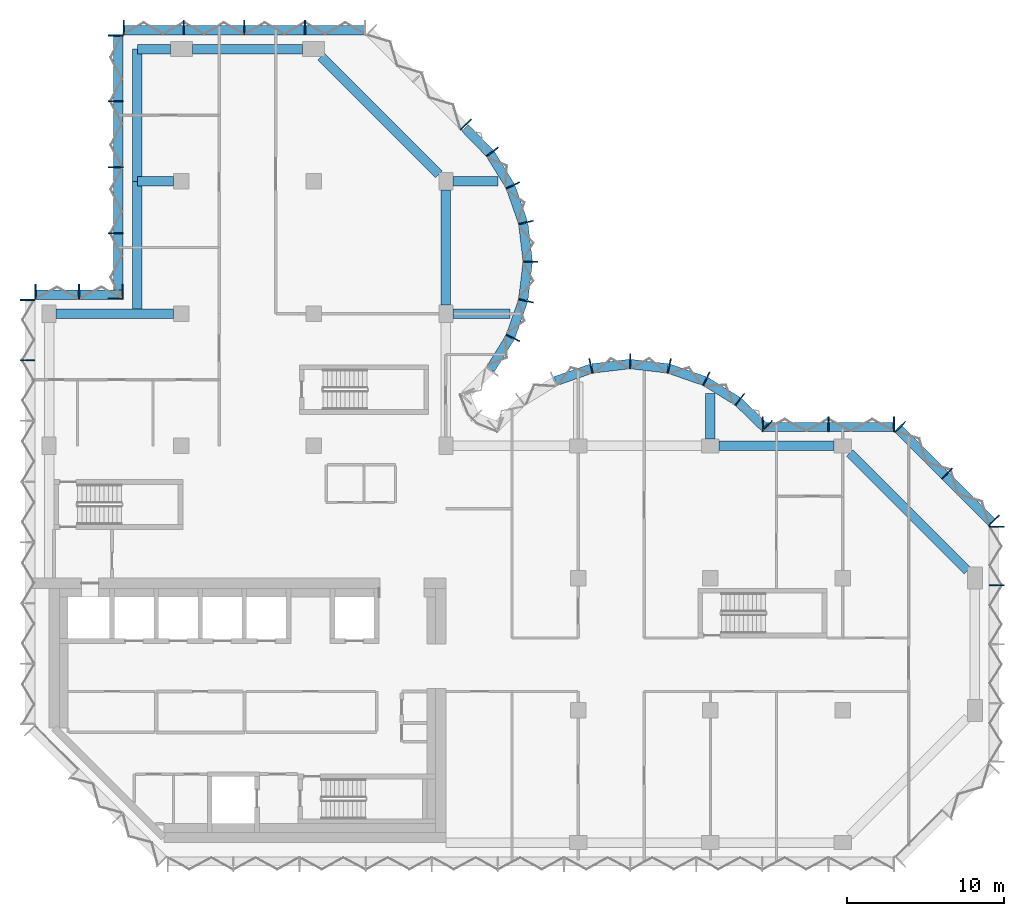
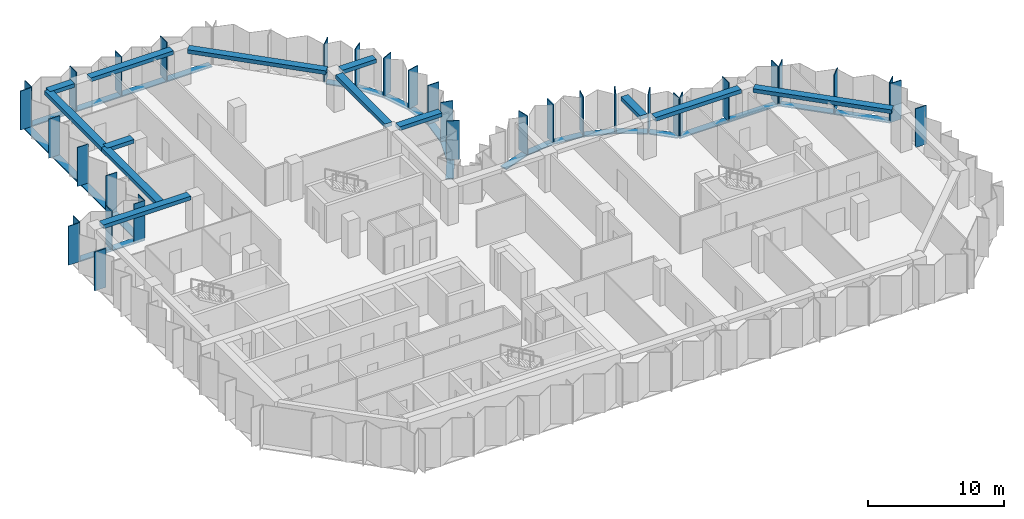
# One storey, part 2 of 10: 53 members, 13 beams, 9 elements without a shape of their own.
"""IFC4 building model written with IfcOpenShell, lengths in metres."""

from ifc_helpers import new_model, si_unit, direction, frame, origin, origin_2d, place, context, subcontext, project, spatial, rectangle, extrude, material, material_profile, profile_set, type_object, element, aggregate, save


model = new_model("IFC4")

# Units and contexts
model_context = context("Model", 3, precision=1e-05, world=origin(), true_north=direction((0.0, 1.0)))
body_context = subcontext(model_context, "Body", "Model", "MODEL_VIEW")
ifc_project = project(units=[si_unit("LENGTHUNIT", "METRE"), si_unit("AREAUNIT", "SQUARE_METRE"), si_unit("VOLUMEUNIT", "CUBIC_METRE"), si_unit("PLANEANGLEUNIT", "RADIAN"), si_unit("MASSUNIT", "GRAM", prefix="KILO")], contexts=[model_context])

# Site, building, storey
site_placement = place(None, origin())
site = spatial("IfcSite", under=ifc_project, at=site_placement, CompositionType="ELEMENT")
building_placement = place(site_placement, origin())
building = spatial("IfcBuilding", under=site, at=building_placement, Name="Brevane Broadcast Tower", CompositionType="ELEMENT")
storey_placement = place(building_placement, frame((0.0, 0.0, 166.800048828125)))
storey = spatial("IfcBuildingStorey", under=building, at=storey_placement, Name="L41", CompositionType="ELEMENT", Elevation=166.800048828125)

# Curtain wall, members
ifc_material_1 = material(Name="Aluminium 6063-T6 bronze anodised", Category="aluminium")
curtain_wall_type = type_object("IfcCurtainWallType", Name="CW-1 curtain wall", PredefinedType="NOTDEFINED", material=ifc_material_1)
curtain_wall_1_placement = place(storey_placement, origin())
curtain_wall_1 = element("IfcCurtainWall", 1, at=curtain_wall_1_placement, inside=storey, type_object=curtain_wall_type, Name="CW-1 typical tilted unit L41 east end", PredefinedType="NOTDEFINED")
ifc_material_profile_1 = material_profile(ifc_material_1, rectangle(XDim=0.949951171875, YDim=0.070068359375, at=origin_2d()), Name="RECT 70x950")
ifc_profile_set_1 = profile_set([ifc_material_profile_1], Name="Aluminium 6063-T6 bronze anodised")
member_type_1 = type_object("IfcMemberType", Name="CW-1 mullion 70x950", PredefinedType="MULLION", material=ifc_profile_set_1)
member_1_placement = place(storey_placement, frame((60.175048828125, 16.35009765625, -0.150146484375), z_axis=(0.0, 0.0, 1.0), x_axis=(-1.0, 0.0, 0.0)))
member_1 = element("IfcMember", 2, at=member_1_placement, type_object=member_type_1, Name="CW-1 mullion", PredefinedType="MULLION", context=body_context, shape_type="SweptSolid", body=[
    extrude(rectangle(XDim=0.949951171875, YDim=0.070068359375, at=origin_2d()), origin(), (0.0, 0.0, 1.0), 3.5),
])
member_2_placement = place(storey_placement, frame((60.175048828125, 20.06494140625, -0.150146484375), z_axis=(0.0, 0.0, 1.0), x_axis=(-1.0, 0.0, 0.0)))
member_2 = element("IfcMember", 3, at=member_2_placement, type_object=member_type_1, Name="CW-1 mullion", PredefinedType="MULLION", context=body_context, shape_type="SweptSolid", body=[
    extrude(rectangle(XDim=0.949951171875, YDim=0.070068359375, at=origin_2d()), origin(), (0.0, 0.0, 1.0), 3.5),
])
aggregate(curtain_wall_1, [member_1, member_2])

curtain_wall_2_placement = place(storey_placement, origin())
curtain_wall_2 = element("IfcCurtainWall", 4, at=curtain_wall_2_placement, inside=storey, type_object=curtain_wall_type, Name="CW-1 typical tilted unit L41 north-east chamfer", PredefinedType="NOTDEFINED")
member_3_placement = place(storey_placement, frame((60.01123046875, 20.460693359375, -0.150146484375), z_axis=(0.0, 0.0, 1.0), x_axis=(-0.707106781187, -0.707106781187, 0.0)))
member_3 = element("IfcMember", 5, at=member_3_placement, type_object=member_type_1, Name="CW-1 mullion", PredefinedType="MULLION", context=body_context, shape_type="SweptSolid", body=[
    extrude(rectangle(XDim=0.949951171875, YDim=0.070068359375, at=origin_2d()), origin(), (0.0, 0.0, 1.0), 3.5),
])
member_4_placement = place(storey_placement, frame((57.035888671875, 23.435791015625, -0.150146484375), z_axis=(0.0, 0.0, 1.0), x_axis=(-0.707106781187, -0.707106781187, 0.0)))
member_4 = element("IfcMember", 6, at=member_4_placement, type_object=member_type_1, Name="CW-1 mullion", PredefinedType="MULLION", context=body_context, shape_type="SweptSolid", body=[
    extrude(rectangle(XDim=0.949951171875, YDim=0.070068359375, at=origin_2d()), origin(), (0.0, 0.0, 1.0), 3.5),
])
member_5_placement = place(storey_placement, frame((54.060546875, 26.4111328125, -0.150146484375), z_axis=(0.0, 0.0, 1.0), x_axis=(-0.707106781187, -0.707106781187, 0.0)))
member_5 = element("IfcMember", 7, at=member_5_placement, type_object=member_type_1, Name="CW-1 mullion", PredefinedType="MULLION", context=body_context, shape_type="SweptSolid", body=[
    extrude(rectangle(XDim=0.949951171875, YDim=0.070068359375, at=origin_2d()), origin(), (0.0, 0.0, 1.0), 3.5),
])

curtain_wall_3_placement = place(storey_placement, origin())
curtain_wall_3 = element("IfcCurtainWall", 8, at=curtain_wall_3_placement, inside=storey, type_object=curtain_wall_type, Name="CW-1 typical tilted unit L41 east arm north face", PredefinedType="NOTDEFINED")
member_6_placement = place(storey_placement, frame((53.6650390625, 26.574951171875, -0.150146484375), z_axis=(0.0, 0.0, 1.0), x_axis=(0.0, -1.0, 0.0)))
member_6 = element("IfcMember", 9, at=member_6_placement, type_object=member_type_1, Name="CW-1 mullion", PredefinedType="MULLION", context=body_context, shape_type="SweptSolid", body=[
    extrude(rectangle(XDim=0.949951171875, YDim=0.070068359375, at=origin_2d()), origin(), (0.0, 0.0, 1.0), 3.5),
])
member_7_placement = place(storey_placement, frame((49.5, 26.574951171875, -0.150146484375), z_axis=(0.0, 0.0, 1.0), x_axis=(0.0, -1.0, 0.0)))
member_7 = element("IfcMember", 10, at=member_7_placement, type_object=member_type_1, Name="CW-1 mullion", PredefinedType="MULLION", context=body_context, shape_type="SweptSolid", body=[
    extrude(rectangle(XDim=0.949951171875, YDim=0.070068359375, at=origin_2d()), origin(), (0.0, 0.0, 1.0), 3.5),
])
member_8_placement = place(storey_placement, frame((45.3349609375, 26.574951171875, -0.150146484375), z_axis=(0.0, 0.0, 1.0), x_axis=(0.0, -1.0, 0.0)))
member_8 = element("IfcMember", 11, at=member_8_placement, type_object=member_type_1, Name="CW-1 mullion", PredefinedType="MULLION", context=body_context, shape_type="SweptSolid", body=[
    extrude(rectangle(XDim=0.949951171875, YDim=0.070068359375, at=origin_2d()), origin(), (0.0, 0.0, 1.0), 3.5),
])

curtain_wall_4_placement = place(storey_placement, origin())
curtain_wall_4 = element("IfcCurtainWall", 12, at=curtain_wall_4_placement, inside=storey, type_object=curtain_wall_type, Name="CW-1 typical tilted unit L41 east bow", PredefinedType="NOTDEFINED")
member_9_placement = place(storey_placement, frame((45.60595703125, 26.465087890625, -0.150146484375), z_axis=(0.0, 0.0, 1.0), x_axis=(-0.696812089895, -0.717253728729, 0.0)))
member_9 = element("IfcMember", 13, at=member_9_placement, type_object=member_type_1, Name="CW-1 mullion", PredefinedType="MULLION", context=body_context, shape_type="SweptSolid", body=[
    extrude(rectangle(XDim=0.949951171875, YDim=0.070068359375, at=origin_2d()), origin(), (0.0, 0.0, 1.0), 3.5),
])
member_10_placement = place(storey_placement, frame((43.8720703125, 28.1455078125, -0.150146484375), z_axis=(0.0, 0.0, 1.0), x_axis=(-0.614769698862, -0.788706673841, 0.0)))
member_10 = element("IfcMember", 14, at=member_10_placement, type_object=member_type_1, Name="CW-1 mullion", PredefinedType="MULLION", context=body_context, shape_type="SweptSolid", body=[
    extrude(rectangle(XDim=0.949951171875, YDim=0.070068359375, at=origin_2d()), origin(), (0.0, 0.0, 1.0), 3.5),
])
member_11_placement = place(storey_placement, frame((41.746826171875, 29.4580078125, -0.150146484375), z_axis=(0.0, 0.0, 1.0), x_axis=(-0.429933580394, -0.902860518823, 0.0)))
member_11 = element("IfcMember", 15, at=member_11_placement, type_object=member_type_1, Name="CW-1 mullion", PredefinedType="MULLION", context=body_context, shape_type="SweptSolid", body=[
    extrude(rectangle(XDim=0.949951171875, YDim=0.070068359375, at=origin_2d()), origin(), (0.0, 0.0, 1.0), 3.5),
])
member_12_placement = place(storey_placement, frame((39.38818359375, 30.28076171875, -0.150146484375), z_axis=(0.0, 0.0, 1.0), x_axis=(-0.224806535479, -0.974403418306, 0.0)))
member_12 = element("IfcMember", 16, at=member_12_placement, type_object=member_type_1, Name="CW-1 mullion", PredefinedType="MULLION", context=body_context, shape_type="SweptSolid", body=[
    extrude(rectangle(XDim=0.949951171875, YDim=0.070068359375, at=origin_2d()), origin(), (0.0, 0.0, 1.0), 3.5),
])
member_13_placement = place(storey_placement, frame((36.89990234375, 30.574951171875, -0.150146484375), z_axis=(0.0, 0.0, 1.0), x_axis=(0.0, -1.0, 0.0)))
member_13 = element("IfcMember", 17, at=member_13_placement, type_object=member_type_1, Name="CW-1 mullion", PredefinedType="MULLION", context=body_context, shape_type="SweptSolid", body=[
    extrude(rectangle(XDim=0.949951171875, YDim=0.070068359375, at=origin_2d()), origin(), (0.0, 0.0, 1.0), 3.5),
])
member_14_placement = place(storey_placement, frame((34.411865234375, 30.28076171875, -0.150146484375), z_axis=(0.0, 0.0, 1.0), x_axis=(0.224806535479, -0.974403418306, 0.0)))
member_14 = element("IfcMember", 18, at=member_14_placement, type_object=member_type_1, Name="CW-1 mullion", PredefinedType="MULLION", context=body_context, shape_type="SweptSolid", body=[
    extrude(rectangle(XDim=0.949951171875, YDim=0.070068359375, at=origin_2d()), origin(), (0.0, 0.0, 1.0), 3.5),
])

curtain_wall_5_placement = place(storey_placement, origin())
curtain_wall_5 = element("IfcCurtainWall", 19, at=curtain_wall_5_placement, inside=storey, type_object=curtain_wall_type, Name="CW-1 typical tilted unit L41 north bow", PredefinedType="NOTDEFINED")
member_15_placement = place(storey_placement, frame((29.4580078125, 32.05322265625, -0.150146484375), z_axis=(0.0, 0.0, 1.0), x_axis=(-0.902860518823, 0.429933580394, 0.0)))
member_15 = element("IfcMember", 20, at=member_15_placement, type_object=member_type_1, Name="CW-1 mullion", PredefinedType="MULLION", context=body_context, shape_type="SweptSolid", body=[
    extrude(rectangle(XDim=0.949951171875, YDim=0.070068359375, at=origin_2d()), origin(), (0.0, 0.0, 1.0), 3.5),
])
member_16_placement = place(storey_placement, frame((30.28076171875, 34.411865234375, -0.150146484375), z_axis=(0.0, 0.0, 1.0), x_axis=(-0.974403418306, 0.224806535479, 0.0)))
member_16 = element("IfcMember", 21, at=member_16_placement, type_object=member_type_1, Name="CW-1 mullion", PredefinedType="MULLION", context=body_context, shape_type="SweptSolid", body=[
    extrude(rectangle(XDim=0.949951171875, YDim=0.070068359375, at=origin_2d()), origin(), (0.0, 0.0, 1.0), 3.5),
])
member_17_placement = place(storey_placement, frame((30.574951171875, 36.89990234375, -0.150146484375), z_axis=(0.0, 0.0, 1.0), x_axis=(-1.0, 0.0, 0.0)))
member_17 = element("IfcMember", 22, at=member_17_placement, type_object=member_type_1, Name="CW-1 mullion", PredefinedType="MULLION", context=body_context, shape_type="SweptSolid", body=[
    extrude(rectangle(XDim=0.949951171875, YDim=0.070068359375, at=origin_2d()), origin(), (0.0, 0.0, 1.0), 3.5),
])
member_18_placement = place(storey_placement, frame((30.28076171875, 39.38818359375, -0.150146484375), z_axis=(0.0, 0.0, 1.0), x_axis=(-0.974403418306, -0.224806535479, 0.0)))
member_18 = element("IfcMember", 23, at=member_18_placement, type_object=member_type_1, Name="CW-1 mullion", PredefinedType="MULLION", context=body_context, shape_type="SweptSolid", body=[
    extrude(rectangle(XDim=0.949951171875, YDim=0.070068359375, at=origin_2d()), origin(), (0.0, 0.0, 1.0), 3.5),
])
member_19_placement = place(storey_placement, frame((29.4580078125, 41.746826171875, -0.150146484375), z_axis=(0.0, 0.0, 1.0), x_axis=(-0.902860518823, -0.429933580394, 0.0)))
member_19 = element("IfcMember", 24, at=member_19_placement, type_object=member_type_1, Name="CW-1 mullion", PredefinedType="MULLION", context=body_context, shape_type="SweptSolid", body=[
    extrude(rectangle(XDim=0.949951171875, YDim=0.070068359375, at=origin_2d()), origin(), (0.0, 0.0, 1.0), 3.5),
])
member_20_placement = place(storey_placement, frame((28.1455078125, 43.8720703125, -0.150146484375), z_axis=(0.0, 0.0, 1.0), x_axis=(-0.788706673841, -0.614769698862, 0.0)))
member_20 = element("IfcMember", 25, at=member_20_placement, type_object=member_type_1, Name="CW-1 mullion", PredefinedType="MULLION", context=body_context, shape_type="SweptSolid", body=[
    extrude(rectangle(XDim=0.949951171875, YDim=0.070068359375, at=origin_2d()), origin(), (0.0, 0.0, 1.0), 3.5),
])
member_21_placement = place(storey_placement, frame((26.465087890625, 45.60595703125, -0.150146484375), z_axis=(0.0, 0.0, 1.0), x_axis=(-0.717253728729, -0.696812089895, 0.0)))
member_21 = element("IfcMember", 26, at=member_21_placement, type_object=member_type_1, Name="CW-1 mullion", PredefinedType="MULLION", context=body_context, shape_type="SweptSolid", body=[
    extrude(rectangle(XDim=0.949951171875, YDim=0.070068359375, at=origin_2d()), origin(), (0.0, 0.0, 1.0), 3.5),
])

curtain_wall_6_placement = place(storey_placement, origin())
curtain_wall_6 = element("IfcCurtainWall", 27, at=curtain_wall_6_placement, inside=storey, type_object=curtain_wall_type, Name="CW-1 typical tilted unit L41 north end", PredefinedType="NOTDEFINED")
member_22_placement = place(storey_placement, frame((16.25, 51.77490234375, -0.150146484375), z_axis=(0.0, 0.0, 1.0), x_axis=(0.0, -1.0, 0.0)))
member_22 = element("IfcMember", 28, at=member_22_placement, type_object=member_type_1, Name="CW-1 mullion", PredefinedType="MULLION", context=body_context, shape_type="SweptSolid", body=[
    extrude(rectangle(XDim=0.949951171875, YDim=0.070068359375, at=origin_2d()), origin(), (0.0, 0.0, 1.0), 3.5),
])
member_23_placement = place(storey_placement, frame((12.39990234375, 51.77490234375, -0.150146484375), z_axis=(0.0, 0.0, 1.0), x_axis=(0.0, -1.0, 0.0)))
member_23 = element("IfcMember", 29, at=member_23_placement, type_object=member_type_1, Name="CW-1 mullion", PredefinedType="MULLION", context=body_context, shape_type="SweptSolid", body=[
    extrude(rectangle(XDim=0.949951171875, YDim=0.070068359375, at=origin_2d()), origin(), (0.0, 0.0, 1.0), 3.5),
])
member_24_placement = place(storey_placement, frame((8.550048828125, 51.77490234375, -0.150146484375), z_axis=(0.0, 0.0, 1.0), x_axis=(0.0, -1.0, 0.0)))
member_24 = element("IfcMember", 30, at=member_24_placement, type_object=member_type_1, Name="CW-1 mullion", PredefinedType="MULLION", context=body_context, shape_type="SweptSolid", body=[
    extrude(rectangle(XDim=0.949951171875, YDim=0.070068359375, at=origin_2d()), origin(), (0.0, 0.0, 1.0), 3.5),
])
member_25_placement = place(storey_placement, frame((4.735107421875, 51.77490234375, -0.150146484375), z_axis=(0.0, 0.0, 1.0), x_axis=(0.0, -1.0, 0.0)))
member_25 = element("IfcMember", 31, at=member_25_placement, type_object=member_type_1, Name="CW-1 mullion", PredefinedType="MULLION", context=body_context, shape_type="SweptSolid", body=[
    extrude(rectangle(XDim=0.949951171875, YDim=0.070068359375, at=origin_2d()), origin(), (0.0, 0.0, 1.0), 3.5),
])

curtain_wall_7_placement = place(storey_placement, origin())
curtain_wall_7 = element("IfcCurtainWall", 32, at=curtain_wall_7_placement, inside=storey, type_object=curtain_wall_type, Name="CW-1 typical tilted unit L41 north wing west face, lower block", PredefinedType="NOTDEFINED")
member_26_placement = place(storey_placement, frame((4.22509765625, 51.264892578125, -0.150146484375), z_axis=(0.0, 0.0, 1.0), x_axis=(1.0, 0.0, 0.0)))
member_26 = element("IfcMember", 33, at=member_26_placement, type_object=member_type_1, Name="CW-1 mullion", PredefinedType="MULLION", context=body_context, shape_type="SweptSolid", body=[
    extrude(rectangle(XDim=0.949951171875, YDim=0.070068359375, at=origin_2d()), origin(), (0.0, 0.0, 1.0), 3.5),
])
member_27_placement = place(storey_placement, frame((4.22509765625, 47.10009765625, -0.150146484375), z_axis=(0.0, 0.0, 1.0), x_axis=(1.0, 0.0, 0.0)))
member_27 = element("IfcMember", 34, at=member_27_placement, type_object=member_type_1, Name="CW-1 mullion", PredefinedType="MULLION", context=body_context, shape_type="SweptSolid", body=[
    extrude(rectangle(XDim=0.949951171875, YDim=0.070068359375, at=origin_2d()), origin(), (0.0, 0.0, 1.0), 3.5),
])
member_28_placement = place(storey_placement, frame((4.22509765625, 42.89990234375, -0.150146484375), z_axis=(0.0, 0.0, 1.0), x_axis=(1.0, 0.0, 0.0)))
member_28 = element("IfcMember", 35, at=member_28_placement, type_object=member_type_1, Name="CW-1 mullion", PredefinedType="MULLION", context=body_context, shape_type="SweptSolid", body=[
    extrude(rectangle(XDim=0.949951171875, YDim=0.070068359375, at=origin_2d()), origin(), (0.0, 0.0, 1.0), 3.5),
])
member_29_placement = place(storey_placement, frame((4.22509765625, 38.699951171875, -0.150146484375), z_axis=(0.0, 0.0, 1.0), x_axis=(1.0, 0.0, 0.0)))
member_29 = element("IfcMember", 36, at=member_29_placement, type_object=member_type_1, Name="CW-1 mullion", PredefinedType="MULLION", context=body_context, shape_type="SweptSolid", body=[
    extrude(rectangle(XDim=0.949951171875, YDim=0.070068359375, at=origin_2d()), origin(), (0.0, 0.0, 1.0), 3.5),
])
member_30_placement = place(storey_placement, frame((4.22509765625, 34.534912109375, -0.150146484375), z_axis=(0.0, 0.0, 1.0), x_axis=(1.0, 0.0, 0.0)))
member_30 = element("IfcMember", 37, at=member_30_placement, type_object=member_type_1, Name="CW-1 mullion", PredefinedType="MULLION", context=body_context, shape_type="SweptSolid", body=[
    extrude(rectangle(XDim=0.949951171875, YDim=0.070068359375, at=origin_2d()), origin(), (0.0, 0.0, 1.0), 3.5),
])

curtain_wall_8_placement = place(storey_placement, origin())
curtain_wall_8 = element("IfcCurtainWall", 38, at=curtain_wall_8_placement, inside=storey, type_object=curtain_wall_type, Name="CW-1 typical tilted unit L41 north wing west return, lower block", PredefinedType="NOTDEFINED")
member_31_placement = place(storey_placement, frame((4.6650390625, 34.97509765625, -0.150146484375), z_axis=(0.0, 0.0, 1.0), x_axis=(0.0, -1.0, 0.0)))
member_31 = element("IfcMember", 39, at=member_31_placement, type_object=member_type_1, Name="CW-1 mullion", PredefinedType="MULLION", context=body_context, shape_type="SweptSolid", body=[
    extrude(rectangle(XDim=0.949951171875, YDim=0.070068359375, at=origin_2d()), origin(), (0.0, 0.0, 1.0), 3.5),
])
member_32_placement = place(storey_placement, frame((1.89990234375, 34.97509765625, -0.150146484375), z_axis=(0.0, 0.0, 1.0), x_axis=(0.0, -1.0, 0.0)))
member_32 = element("IfcMember", 40, at=member_32_placement, type_object=member_type_1, Name="CW-1 mullion", PredefinedType="MULLION", context=body_context, shape_type="SweptSolid", body=[
    extrude(rectangle(XDim=0.949951171875, YDim=0.070068359375, at=origin_2d()), origin(), (0.0, 0.0, 1.0), 3.5),
])
member_33_placement = place(storey_placement, frame((-0.864990234375, 34.97509765625, -0.150146484375), z_axis=(0.0, 0.0, 1.0), x_axis=(0.0, -1.0, 0.0)))
member_33 = element("IfcMember", 41, at=member_33_placement, type_object=member_type_1, Name="CW-1 mullion", PredefinedType="MULLION", context=body_context, shape_type="SweptSolid", body=[
    extrude(rectangle(XDim=0.949951171875, YDim=0.070068359375, at=origin_2d()), origin(), (0.0, 0.0, 1.0), 3.5),
])

curtain_wall_9_placement = place(storey_placement, origin())
curtain_wall_9 = element("IfcCurtainWall", 42, at=curtain_wall_9_placement, inside=storey, type_object=curtain_wall_type, Name="CW-1 typical tilted unit L41 west face", PredefinedType="NOTDEFINED")
member_34_placement = place(storey_placement, frame((-1.375, 34.465087890625, -0.150146484375), z_axis=(0.0, 0.0, 1.0), x_axis=(1.0, 0.0, 0.0)))
member_34 = element("IfcMember", 43, at=member_34_placement, type_object=member_type_1, Name="CW-1 mullion", PredefinedType="MULLION", context=body_context, shape_type="SweptSolid", body=[
    extrude(rectangle(XDim=0.949951171875, YDim=0.070068359375, at=origin_2d()), origin(), (0.0, 0.0, 1.0), 3.5),
])
member_35_placement = place(storey_placement, frame((-1.375, 30.642822265625, -0.150146484375), z_axis=(0.0, 0.0, 1.0), x_axis=(1.0, 0.0, 0.0)))
member_35 = element("IfcMember", 44, at=member_35_placement, type_object=member_type_1, Name="CW-1 mullion", PredefinedType="MULLION", context=body_context, shape_type="SweptSolid", body=[
    extrude(rectangle(XDim=0.949951171875, YDim=0.070068359375, at=origin_2d()), origin(), (0.0, 0.0, 1.0), 3.5),
])
aggregate(curtain_wall_9, [member_34, member_35])

# Member
ifc_material_profile_2 = material_profile(ifc_material_1, rectangle(XDim=0.60009765625, YDim=0.10009765625, at=origin_2d()), Name="RECT 100x600")
ifc_profile_set_2 = profile_set([ifc_material_profile_2], Name="Aluminium 6063-T6 bronze anodised")
member_type_2 = type_object("IfcMemberType", Name="CW-1 transom 100x600", PredefinedType="USERDEFINED", material=ifc_profile_set_2)
member_36_placement = place(storey_placement, frame((59.912109375, 20.31201171875, -0.199951171875), z_axis=(-0.707106781187, 0.707106781187, 0.0), x_axis=(-0.707106781187, -0.707106781187, 0.0)))
member_36 = element("IfcMember", 45, at=member_36_placement, type_object=member_type_2, Name="CW-1 transom", ObjectType="TRANSOM", PredefinedType="USERDEFINED", context=body_context, shape_type="SweptSolid", body=[
    extrude(rectangle(XDim=0.60009765625, YDim=0.10009765625, at=origin_2d()), origin(), (0.0, 0.0, 1.0), 8.4853515625),
])

aggregate(curtain_wall_2, [member_3, member_4, member_5, member_36])

member_37_placement = place(storey_placement, frame((53.699951171875, 26.39990234375, -0.199951171875), z_axis=(-1.0, 0.0, 0.0), x_axis=(0.0, -1.0, 0.0)))
member_37 = element("IfcMember", 46, at=member_37_placement, type_object=member_type_2, Name="CW-1 transom", ObjectType="TRANSOM", PredefinedType="USERDEFINED", context=body_context, shape_type="SweptSolid", body=[
    extrude(rectangle(XDim=0.60009765625, YDim=0.10009765625, at=origin_2d()), origin(), (0.0, 0.0, 1.0), 8.39990234375),
])

aggregate(curtain_wall_3, [member_6, member_7, member_8, member_37])

member_38_placement = place(storey_placement, frame((45.412841796875, 26.407958984375, -0.199951171875), z_axis=(-0.71724215871, 0.696823999134, 0.0), x_axis=(-0.696823999134, -0.71724215871, 0.0)))
member_38 = element("IfcMember", 47, at=member_38_placement, type_object=member_type_2, Name="CW-1 transom", ObjectType="TRANSOM", PredefinedType="USERDEFINED", context=body_context, shape_type="SweptSolid", body=[
    extrude(rectangle(XDim=0.60009765625, YDim=0.10009765625, at=origin_2d()), origin(), (0.0, 0.0, 1.0), 2.247802734375),
])

member_39_placement = place(storey_placement, frame((43.7421875, 28.023193359375, -0.199951171875), z_axis=(-0.850810063131, 0.525473345162, 0.0), x_axis=(-0.525473345162, -0.850810063131, 0.0)))
member_39 = element("IfcMember", 48, at=member_39_placement, type_object=member_type_2, Name="CW-1 transom", ObjectType="TRANSOM", PredefinedType="USERDEFINED", context=body_context, shape_type="SweptSolid", body=[
    extrude(rectangle(XDim=0.60009765625, YDim=0.10009765625, at=origin_2d()), origin(), (0.0, 0.0, 1.0), 2.39453125),
])

member_40_placement = place(storey_placement, frame((41.63623046875, 29.314208984375, -0.199951171875), z_axis=(-0.944197969542, 0.329378497041, 0.0), x_axis=(-0.329378497041, -0.944197969542, 0.0)))
member_40 = element("IfcMember", 49, at=member_40_placement, type_object=member_type_2, Name="CW-1 transom", ObjectType="TRANSOM", PredefinedType="USERDEFINED", context=body_context, shape_type="SweptSolid", body=[
    extrude(rectangle(XDim=0.60009765625, YDim=0.10009765625, at=origin_2d()), origin(), (0.0, 0.0, 1.0), 2.394775390625),
])

member_41_placement = place(storey_placement, frame((39.30029296875, 30.117431640625, -0.199951171875), z_axis=(-0.993062061831, 0.117591417, 0.0), x_axis=(-0.117591417, -0.993062061831, 0.0)))
member_41 = element("IfcMember", 50, at=member_41_placement, type_object=member_type_2, Name="CW-1 transom", ObjectType="TRANSOM", PredefinedType="USERDEFINED", context=body_context, shape_type="SweptSolid", body=[
    extrude(rectangle(XDim=0.60009765625, YDim=0.10009765625, at=origin_2d()), origin(), (0.0, 0.0, 1.0), 2.39794921875),
])

member_42_placement = place(storey_placement, frame((36.880859375, 30.3994140625, -0.199951171875), z_axis=(-0.993060653805, -0.117603307202, 0.0), x_axis=(0.117603307202, -0.993060653805, 0.0)))
member_42 = element("IfcMember", 51, at=member_42_placement, type_object=member_type_2, Name="CW-1 transom", ObjectType="TRANSOM", PredefinedType="USERDEFINED", context=body_context, shape_type="SweptSolid", body=[
    extrude(rectangle(XDim=0.60009765625, YDim=0.10009765625, at=origin_2d()), origin(), (0.0, 0.0, 1.0), 2.397705078125),
])

member_43_placement = place(storey_placement, frame((34.425048828125, 30.10302734375, -0.199951171875), z_axis=(-0.944197969542, -0.329378497041, 0.0), x_axis=(0.329378497041, -0.944197969542, 0.0)))
member_43 = element("IfcMember", 52, at=member_43_placement, type_object=member_type_2, Name="CW-1 transom", ObjectType="TRANSOM", PredefinedType="USERDEFINED", context=body_context, shape_type="SweptSolid", body=[
    extrude(rectangle(XDim=0.60009765625, YDim=0.10009765625, at=origin_2d()), origin(), (0.0, 0.0, 1.0), 2.394775390625),
])

aggregate(curtain_wall_4, [member_9, member_10, member_11, member_12, member_13, member_14, member_38, member_39, member_40, member_41, member_42, member_43])

member_44_placement = place(storey_placement, frame((28.023193359375, 30.0576171875, -0.199951171875), z_axis=(0.525427766759, 0.850838211365, 0.0), x_axis=(-0.850838211365, 0.525427766759, 0.0)))
member_44 = element("IfcMember", 53, at=member_44_placement, type_object=member_type_2, Name="CW-1 transom", ObjectType="TRANSOM", PredefinedType="USERDEFINED", context=body_context, shape_type="SweptSolid", body=[
    extrude(rectangle(XDim=0.60009765625, YDim=0.10009765625, at=origin_2d()), origin(), (0.0, 0.0, 1.0), 2.394775390625),
])

member_45_placement = place(storey_placement, frame((29.314208984375, 32.163818359375, -0.199951171875), z_axis=(0.329378497041, 0.944197969542, 0.0), x_axis=(-0.944197969542, 0.329378497041, 0.0)))
member_45 = element("IfcMember", 54, at=member_45_placement, type_object=member_type_2, Name="CW-1 transom", ObjectType="TRANSOM", PredefinedType="USERDEFINED", context=body_context, shape_type="SweptSolid", body=[
    extrude(rectangle(XDim=0.60009765625, YDim=0.10009765625, at=origin_2d()), origin(), (0.0, 0.0, 1.0), 2.394775390625),
])

member_46_placement = place(storey_placement, frame((30.117431640625, 34.499755859375, -0.199951171875), z_axis=(0.117603307202, 0.993060653805, 0.0), x_axis=(-0.993060653805, 0.117603307202, 0.0)))
member_46 = element("IfcMember", 55, at=member_46_placement, type_object=member_type_2, Name="CW-1 transom", ObjectType="TRANSOM", PredefinedType="USERDEFINED", context=body_context, shape_type="SweptSolid", body=[
    extrude(rectangle(XDim=0.60009765625, YDim=0.10009765625, at=origin_2d()), origin(), (0.0, 0.0, 1.0), 2.397705078125),
])

member_47_placement = place(storey_placement, frame((30.3994140625, 36.9189453125, -0.199951171875), z_axis=(-0.117591417, 0.993062061831, 0.0), x_axis=(-0.993062061831, -0.117591417, 0.0)))
member_47 = element("IfcMember", 56, at=member_47_placement, type_object=member_type_2, Name="CW-1 transom", ObjectType="TRANSOM", PredefinedType="USERDEFINED", context=body_context, shape_type="SweptSolid", body=[
    extrude(rectangle(XDim=0.60009765625, YDim=0.10009765625, at=origin_2d()), origin(), (0.0, 0.0, 1.0), 2.39794921875),
])

member_48_placement = place(storey_placement, frame((30.10302734375, 39.375, -0.199951171875), z_axis=(-0.329378497041, 0.944197969542, 0.0), x_axis=(-0.944197969542, -0.329378497041, 0.0)))
member_48 = element("IfcMember", 57, at=member_48_placement, type_object=member_type_2, Name="CW-1 transom", ObjectType="TRANSOM", PredefinedType="USERDEFINED", context=body_context, shape_type="SweptSolid", body=[
    extrude(rectangle(XDim=0.60009765625, YDim=0.10009765625, at=origin_2d()), origin(), (0.0, 0.0, 1.0), 2.394775390625),
])

member_49_placement = place(storey_placement, frame((29.281494140625, 41.704833984375, -0.199951171875), z_axis=(-0.525473345162, 0.850810063131, 0.0), x_axis=(-0.850810063131, -0.525473345162, 0.0)))
member_49 = element("IfcMember", 58, at=member_49_placement, type_object=member_type_2, Name="CW-1 transom", ObjectType="TRANSOM", PredefinedType="USERDEFINED", context=body_context, shape_type="SweptSolid", body=[
    extrude(rectangle(XDim=0.60009765625, YDim=0.10009765625, at=origin_2d()), origin(), (0.0, 0.0, 1.0), 2.39453125),
])

member_50_placement = place(storey_placement, frame((27.974365234375, 43.800537109375, -0.199951171875), z_axis=(-0.696823999134, 0.71724215871, 0.0), x_axis=(-0.71724215871, -0.696823999134, 0.0)))
member_50 = element("IfcMember", 59, at=member_50_placement, type_object=member_type_2, Name="CW-1 transom", ObjectType="TRANSOM", PredefinedType="USERDEFINED", context=body_context, shape_type="SweptSolid", body=[
    extrude(rectangle(XDim=0.60009765625, YDim=0.10009765625, at=origin_2d()), origin(), (0.0, 0.0, 1.0), 2.247802734375),
])

aggregate(curtain_wall_5, [member_15, member_16, member_17, member_18, member_19, member_20, member_21, member_44, member_45, member_46, member_47, member_48, member_49, member_50])

member_51_placement = place(storey_placement, frame((20.10009765625, 51.60009765625, -0.199951171875), z_axis=(-1.0, 0.0, 0.0), x_axis=(0.0, -1.0, 0.0)))
member_51 = element("IfcMember", 60, at=member_51_placement, type_object=member_type_2, Name="CW-1 transom", ObjectType="TRANSOM", PredefinedType="USERDEFINED", context=body_context, shape_type="SweptSolid", body=[
    extrude(rectangle(XDim=0.60009765625, YDim=0.10009765625, at=origin_2d()), origin(), (0.0, 0.0, 1.0), 15.400146484375),
])

aggregate(curtain_wall_6, [member_22, member_23, member_24, member_25, member_51])

member_52_placement = place(storey_placement, frame((4.39990234375, 51.300048828125, -0.199951171875), z_axis=(0.0, -1.0, 0.0), x_axis=(1.0, 0.0, 0.0)))
member_52 = element("IfcMember", 61, at=member_52_placement, type_object=member_type_2, Name="CW-1 transom", ObjectType="TRANSOM", PredefinedType="USERDEFINED", context=body_context, shape_type="SweptSolid", body=[
    extrude(rectangle(XDim=0.60009765625, YDim=0.10009765625, at=origin_2d()), origin(), (0.0, 0.0, 1.0), 16.800048828125),
])

aggregate(curtain_wall_7, [member_26, member_27, member_28, member_29, member_30, member_52])

member_53_placement = place(storey_placement, frame((4.699951171875, 34.800048828125, -0.199951171875), z_axis=(-1.0, 0.0, 0.0), x_axis=(0.0, -1.0, 0.0)))
member_53 = element("IfcMember", 62, at=member_53_placement, type_object=member_type_2, Name="CW-1 transom", ObjectType="TRANSOM", PredefinedType="USERDEFINED", context=body_context, shape_type="SweptSolid", body=[
    extrude(rectangle(XDim=0.60009765625, YDim=0.10009765625, at=origin_2d()), origin(), (0.0, 0.0, 1.0), 5.599853515625),
])

aggregate(curtain_wall_8, [member_31, member_32, member_33, member_53])

# Beams
ifc_material_2 = material(Name="Concrete C40/50", Category="concrete")
ifc_material_profile_3 = material_profile(ifc_material_2, rectangle(XDim=0.60009765625, YDim=0.35009765625, at=origin_2d()), Name="RC 600x350")
ifc_profile_set_3 = profile_set([ifc_material_profile_3], Name="Concrete C40/50")
beam_type_1 = type_object("IfcBeamType", Name="RC BRACKET BEAM 600x350 C40/50", PredefinedType="BEAM", material=ifc_profile_set_3)
beam_1_placement = place(storey_placement, frame((25.64990234375, 33.60009765625, 3.175048828125), z_axis=(1.0, 0.0, 0.0), x_axis=(0.0, 1.0, 0.0)))
element("IfcBeam", 63, at=beam_1_placement, inside=storey, type_object=beam_type_1, Name="EB2 L41-1", PredefinedType="BEAM", context=body_context, shape_type="SweptSolid", body=[
    extrude(rectangle(XDim=0.60009765625, YDim=0.35009765625, at=origin_2d()), origin(), (0.0, 0.0, 1.0), 3.612060546875),
])
for number, where, z_axis, x_axis, name in (
    (64, (25.64990234375, 42.0, 3.175048828125), (1.0, 0.0, 0.0), (0.0, 1.0, 0.0), "EB2 L41-2"),
    (65, (42.0, 25.64990234375, 3.175048828125), (0.0, 1.0, 0.0), (-1.0, 0.0, 0.0), "EB2 L41-4"),
):
    element("IfcBeam", number, at=place(storey_placement, frame(where, z_axis=z_axis, x_axis=x_axis)), inside=storey, type_object=beam_type_1, Name=name, PredefinedType="BEAM", context=body_context, shape_type="SweptSolid", body=[
        extrude(rectangle(XDim=0.60009765625, YDim=0.35009765625, at=origin_2d()), origin(), (0.0, 0.0, 1.0), 2.861572265625),
    ])
beam_2_placement = place(storey_placement, frame((7.89990234375, 42.0, 3.175048828125), z_axis=(-1.0, 0.0, 0.0), x_axis=(0.0, -1.0, 0.0)))
element("IfcBeam", 66, at=beam_2_placement, inside=storey, type_object=beam_type_1, Name="EB2 L41-5", PredefinedType="BEAM", context=body_context, shape_type="SweptSolid", body=[
    extrude(rectangle(XDim=0.60009765625, YDim=0.35009765625, at=origin_2d()), origin(), (0.0, 0.0, 1.0), 2.2998046875),
])
ifc_material_profile_4 = material_profile(ifc_material_2, rectangle(XDim=0.60009765625, YDim=0.35009765625, at=origin_2d()), Name="RC 600x350")
ifc_profile_set_4 = profile_set([ifc_material_profile_4], Name="Concrete C40/50")
beam_type_2 = type_object("IfcBeamType", Name="RC SPANDREL BEAM 600x350 C40/50", PredefinedType="SPANDREL", material=ifc_profile_set_4)
beam_3_placement = place(storey_placement, frame((58.324951171875, 17.27490234375, 3.175048828125), z_axis=(-0.707095233664, 0.707118328521, 0.0), x_axis=(-0.707118328521, -0.707095233664, 0.0)))
element("IfcBeam", 67, at=beam_3_placement, inside=storey, type_object=beam_type_2, Name="EB1 L41-6", PredefinedType="SPANDREL", context=body_context, shape_type="SweptSolid", body=[
    extrude(rectangle(XDim=0.60009765625, YDim=0.35009765625, at=origin_2d()), origin(), (0.0, 0.0, 1.0), 10.5712890625),
])
for number, where, z_axis, x_axis, name in (
    (68, (49.85009765625, 25.199951171875, 3.175048828125), (-1.0, 0.0, 0.0), (0.0, -1.0, 0.0), "EB1 L41-7"),
    (69, (25.199951171875, 34.14990234375, 3.175048828125), (0.0, 1.0, 0.0), (-1.0, 0.0, 0.0), "EB1 L41-11"),
):
    element("IfcBeam", number, at=place(storey_placement, frame(where, z_axis=z_axis, x_axis=x_axis)), inside=storey, type_object=beam_type_2, Name=name, PredefinedType="SPANDREL", context=body_context, shape_type="SweptSolid", body=[
        extrude(rectangle(XDim=0.60009765625, YDim=0.35009765625, at=origin_2d()), origin(), (0.0, 0.0, 1.0), 7.300048828125),
    ])
beam_4_placement = place(storey_placement, frame((24.75, 42.449951171875, 3.175048828125), z_axis=(-0.707106781187, 0.707106781187, 0.0), x_axis=(-0.707106781187, -0.707106781187, 0.0)))
element("IfcBeam", 70, at=beam_4_placement, inside=storey, type_object=beam_type_2, Name="EB1 L41-12", PredefinedType="SPANDREL", context=body_context, shape_type="SweptSolid", body=[
    extrude(rectangle(XDim=0.60009765625, YDim=0.35009765625, at=origin_2d()), origin(), (0.0, 0.0, 1.0), 10.5712890625),
])
beam_5_placement = place(storey_placement, frame((16.10009765625, 50.39990234375, 3.175048828125), z_axis=(-1.0, 0.0, 0.0), x_axis=(0.0, -1.0, 0.0)))
element("IfcBeam", 71, at=beam_5_placement, inside=storey, type_object=beam_type_2, Name="EB1 L41-13", PredefinedType="SPANDREL", context=body_context, shape_type="SweptSolid", body=[
    extrude(rectangle(XDim=0.60009765625, YDim=0.35009765625, at=origin_2d()), origin(), (0.0, 0.0, 1.0), 7.0),
])
beam_6_placement = place(storey_placement, frame((0.449951171875, 33.60009765625, 3.175048828125), z_axis=(1.0, 0.0, 0.0), x_axis=(0.0, 1.0, 0.0)))
element("IfcBeam", 72, at=beam_6_placement, inside=storey, type_object=beam_type_2, Name="EB1 L41-16", PredefinedType="SPANDREL", context=body_context, shape_type="SweptSolid", body=[
    extrude(rectangle(XDim=0.60009765625, YDim=0.35009765625, at=origin_2d()), origin(), (0.0, 0.0, 1.0), 7.449951171875),
])
for number, where, z_axis, x_axis, name in (
    (73, (5.60009765625, 33.60009765625, 3.175048828125), (0.0, 1.0, 0.0), (-1.0, 0.0, 0.0), "EB1 L41-17"),
    (74, (5.60009765625, 42.0, 3.175048828125), (0.0, 1.0, 0.0), (-1.0, 0.0, 0.0), "EB1 L41-18"),
):
    element("IfcBeam", number, at=place(storey_placement, frame(where, z_axis=z_axis, x_axis=x_axis)), inside=storey, type_object=beam_type_2, Name=name, PredefinedType="SPANDREL", context=body_context, shape_type="SweptSolid", body=[
        extrude(rectangle(XDim=0.60009765625, YDim=0.35009765625, at=origin_2d()), origin(), (0.0, 0.0, 1.0), 8.39990234375),
    ])
beam_7_placement = place(storey_placement, frame((5.60009765625, 50.39990234375, 3.175048828125), z_axis=(1.0, 0.0, 0.0), x_axis=(0.0, 1.0, 0.0)))
element("IfcBeam", 75, at=beam_7_placement, inside=storey, type_object=beam_type_2, Name="EB1 L41-19", PredefinedType="SPANDREL", context=body_context, shape_type="SweptSolid", body=[
    extrude(rectangle(XDim=0.60009765625, YDim=0.35009765625, at=origin_2d()), origin(), (0.0, 0.0, 1.0), 2.099853515625),
])

save(model, "model.ifc")
